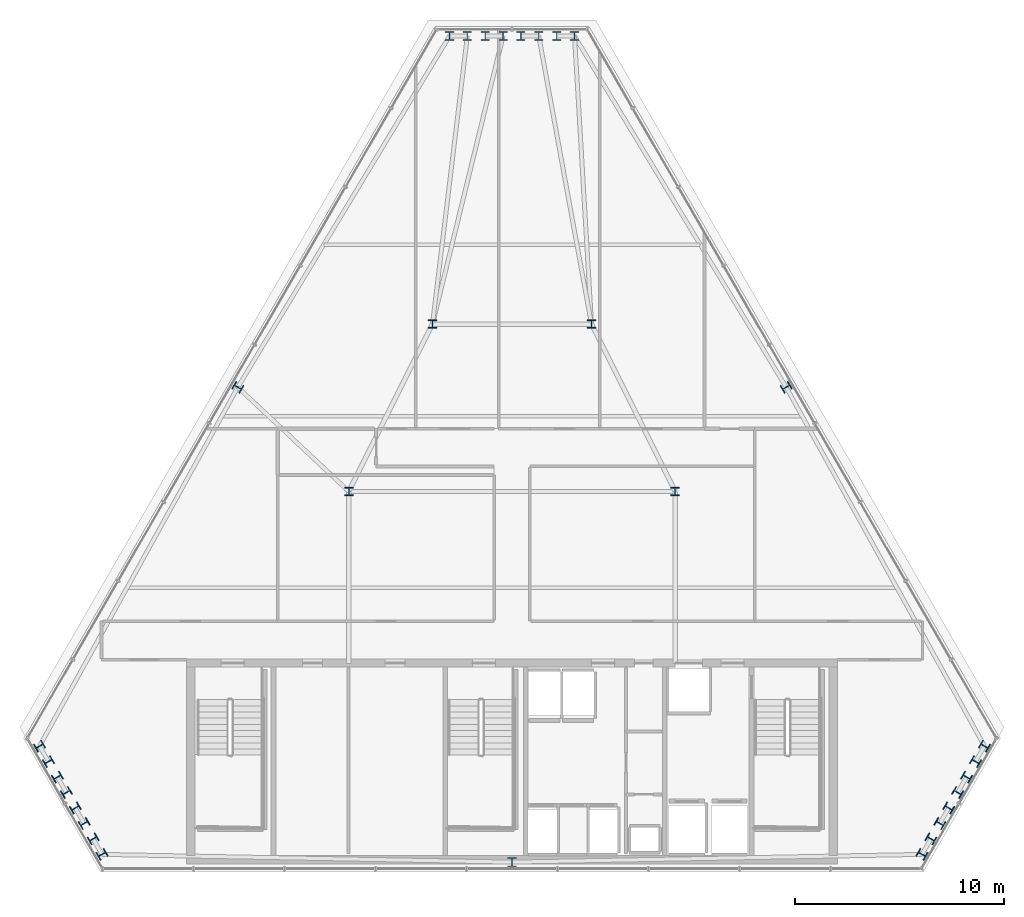
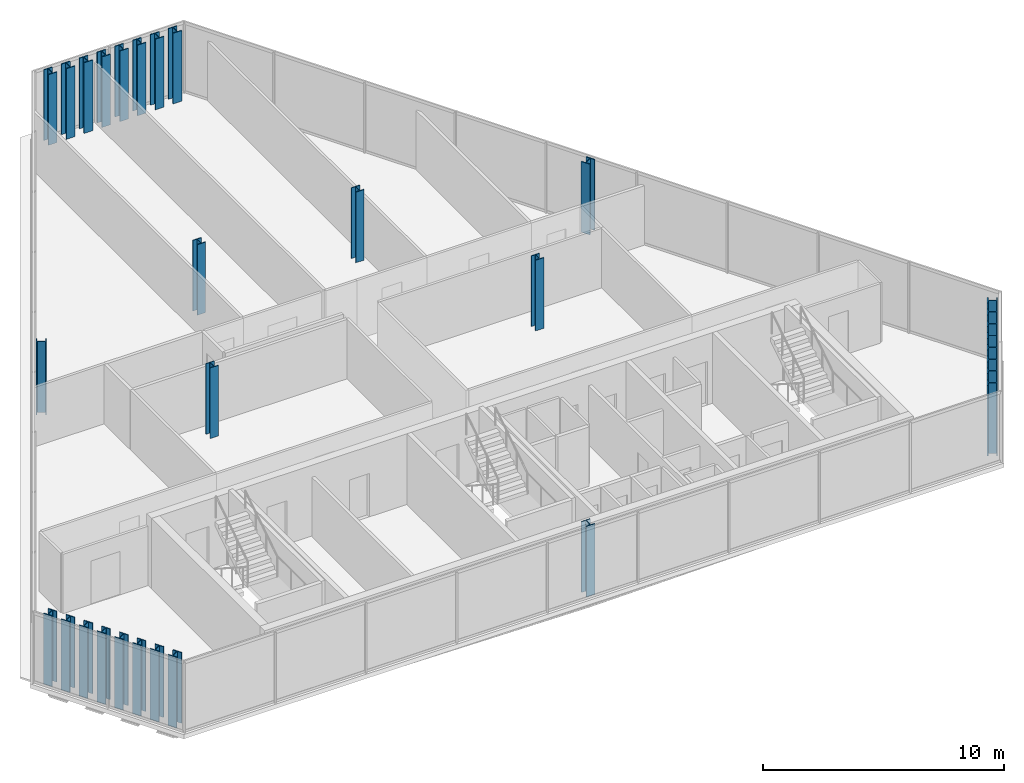
# One storey, part 1 of 29: 31 columns.
"""IFC4 building model written with IfcOpenShell, lengths in metres."""

import ifcopenshell
import ifcopenshell.guid

model = None  # the IFC model being written
_history = None  # IfcOwnerHistory: only IFC2X3 demands one
_inside = {}  # id of a spatial element -> (the spatial element, [elements in it])
_under = {}  # id of a project, library or spatial element -> (it, [spatial elements below it])
_declared = {}  # id of a project -> (the project, [libraries it declares])
_typed = {}  # id of a type object -> (the type object, [elements of that type])
_made_of = {}  # id of a material, layer set ... -> (it, [elements and type objects made of it])


def new_model(schema):
    """Start an empty IFC model of exactly this schema.

    Asked for "IFC4X3", IfcOpenShell would pick the latest addendum, in which some entities
    have other attributes; the version numbers below select the first issue.
    IFC2X3 requires an IfcOwnerHistory on every rooted entity: one is made here for all.
    """
    global model, _history
    if schema == "IFC4X3":
        model = ifcopenshell.file(schema_version=(4, 3, 0, 0))
    else:
        model = ifcopenshell.file(schema=schema)
    _inside.clear()
    _under.clear()
    _declared.clear()
    _typed.clear()
    _made_of.clear()
    _history = None
    if model.schema == "IFC2X3":
        org = make("IfcOrganization", Name="unknown")
        user = make(
            "IfcPersonAndOrganization",
            ThePerson=make("IfcPerson", FamilyName="unknown"),
            TheOrganization=org,
        )
        app = make(
            "IfcApplication",
            ApplicationDeveloper=org,
            Version="unknown",
            ApplicationFullName="unknown",
            ApplicationIdentifier="unknown",
        )
        _history = make(
            "IfcOwnerHistory",
            OwningUser=user,
            OwningApplication=app,
            ChangeAction="ADDED",
            CreationDate=0,
        )
    return model


def make(cls, **values):
    """One entity of the class cls with the attributes given. An attribute that is None is left unset."""
    return model.create_entity(
        cls, **{name: value for name, value in values.items() if value is not None}
    )


def rooted(cls, **values):
    """An entity with a GlobalId (a new one), such as an element, a storey or a relation."""
    return make(cls, GlobalId=ifcopenshell.guid.new(), OwnerHistory=_history, **values)


def si_unit(unit_type, name, prefix=None):
    """IfcSIUnit, for example si_unit("LENGTHUNIT", "METRE", prefix="MILLI")."""
    return make("IfcSIUnit", UnitType=unit_type, Prefix=prefix, Name=name)


def assignment(units):
    """IfcUnitAssignment: the units of a project."""
    return None if units is None else make("IfcUnitAssignment", Units=units)


def point(xyz):
    """IfcCartesianPoint."""
    return None if xyz is None else make("IfcCartesianPoint", Coordinates=xyz)


def direction(xyz):
    """IfcDirection."""
    return None if xyz is None else make("IfcDirection", DirectionRatios=xyz)


def frame(location, z_axis=None, x_axis=None):
    """IfcAxis2Placement3D, a coordinate frame: its origin and axes. An axis left out is left unset."""
    return make(
        "IfcAxis2Placement3D",
        Location=point(location),
        Axis=direction(z_axis),
        RefDirection=direction(x_axis),
    )


def frame_2d(location, x_axis=None):
    """IfcAxis2Placement2D, a coordinate frame in the plane: its origin and x axis."""
    return make(
        "IfcAxis2Placement2D", Location=point(location), RefDirection=direction(x_axis)
    )


def origin():
    """The frame at (0, 0, 0) with its axes left unset."""
    return frame((0.0, 0.0, 0.0))


def origin_2d():
    """The frame at (0, 0) in the plane with its x axis left unset."""
    return frame_2d((0.0, 0.0))


def place(relative_to, where):
    """IfcLocalPlacement: puts the frame where relative to a parent placement (None: the world)."""
    return make(
        "IfcLocalPlacement", PlacementRelTo=relative_to, RelativePlacement=where
    )


def context(
    kind, dimensions, precision=None, world=None, true_north=None, identifier=None
):
    """IfcGeometricRepresentationContext, for example the 3D "Model" context."""
    return make(
        "IfcGeometricRepresentationContext",
        ContextIdentifier=identifier,
        ContextType=kind,
        CoordinateSpaceDimension=dimensions,
        Precision=precision,
        WorldCoordinateSystem=world,
        TrueNorth=true_north,
    )


def subcontext(parent, identifier, kind, view, scale=None):
    """IfcGeometricRepresentationSubContext, for example "Body" below "Model"."""
    return make(
        "IfcGeometricRepresentationSubContext",
        ContextIdentifier=identifier,
        ContextType=kind,
        ParentContext=parent,
        TargetScale=scale,
        TargetView=view,
    )


def project(units=None, contexts=None):
    """IfcProject with its units and contexts."""
    return rooted(
        "IfcProject",
        Name="project",
        RepresentationContexts=contexts,
        UnitsInContext=assignment(units),
    )


def spatial(cls, under=None, at=None, **own):
    """A site, building, storey or space (cls), placed at a placement, below another one or the project."""
    s = rooted(cls, ObjectPlacement=at, **own)
    if under is not None:
        _under.setdefault(under.id(), (under, []))[1].append(s)
    return s


def profile(cls, at=None, kind="AREA", **sizes):
    """A parametric profile (cls). Its sizes go by their IFC names, for example OverallWidth=200.0."""
    return make(cls, ProfileType=kind, Position=at, **sizes)


def i_section(**sizes):
    """IfcIShapeProfileDef."""
    return profile("IfcIShapeProfileDef", **sizes)


def extrude(swept, where, along, depth):
    """IfcExtrudedAreaSolid: the profile swept, set in the frame where, extruded along a direction by depth."""
    return make(
        "IfcExtrudedAreaSolid",
        SweptArea=swept,
        Position=where,
        ExtrudedDirection=direction(along),
        Depth=depth,
    )


def shape(context_of_items, identifier, shape_type, items):
    """IfcShapeRepresentation: the items that make up one representation, for example the "Body"."""
    return make(
        "IfcShapeRepresentation",
        ContextOfItems=context_of_items,
        RepresentationIdentifier=identifier,
        RepresentationType=shape_type,
        Items=items,
    )


def material(Name=None, Category=None):
    """IfcMaterial."""
    return make("IfcMaterial", Name=Name, Category=Category)


def material_profile(
    of_material, cross_section, Name=None, Category=None, Priority=None
):
    """IfcMaterialProfile: a cross section and its material."""
    return make(
        "IfcMaterialProfile",
        Name=Name,
        Material=of_material,
        Profile=cross_section,
        Priority=Priority,
        Category=Category,
    )


def profile_set(profiles, Name=None, composite=None):
    """IfcMaterialProfileSet."""
    return make(
        "IfcMaterialProfileSet",
        Name=Name,
        MaterialProfiles=profiles,
        CompositeProfile=composite,
    )


def made_of(thing, what):
    """Note that an element or type object is made of a material, layer set ...; save() writes the relation."""
    if what is not None:
        _made_of.setdefault(what.id(), (what, []))[1].append(thing)
    return thing


def type_object(cls, material=None, **own):
    """A type object (cls), such as IfcWallType, which elements share."""
    return made_of(rooted(cls, **own), material)


def element(
    cls,
    number,
    at=None,
    inside=None,
    cuts=None,
    type_object=None,
    material=None,
    context=None,
    identifier="Body",
    shape_type=None,
    held_by="IfcProductDefinitionShape",
    body=None,
    shapes=None,
    **own,
):
    """One element of the class cls, such as IfcWall. Its Tag is "e" and its number.

    at: its placement. inside: the storey or other place that contains it. cuts: it is an
    opening in that element (IfcRelVoidsElement). A single representation is given by context,
    identifier, shape_type and body (its items); several are given by shapes. held_by: the class
    of the entity that holds the representations. save() writes the other relations.
    """
    e = rooted(cls, Tag="e%d" % number, ObjectPlacement=at, **own)
    if body is not None:
        shapes = [shape(context, identifier, shape_type, body)]
    if shapes is not None:
        e.Representation = make(held_by, Representations=shapes)
    if inside is not None:
        _inside.setdefault(inside.id(), (inside, []))[1].append(e)
    if cuts is not None:
        rooted(
            "IfcRelVoidsElement", RelatingBuildingElement=cuts, RelatedOpeningElement=e
        )
    if type_object is not None:
        _typed.setdefault(type_object.id(), (type_object, []))[1].append(e)
    return made_of(e, material)


def aggregate(whole, parts):
    """IfcRelAggregates: a whole, such as a stair, and the parts it consists of."""
    return rooted("IfcRelAggregates", RelatingObject=whole, RelatedObjects=parts)


def save(model, path):
    """Write the relations noted so far, then the file.

    IfcRelAggregates (storeys below a building ...), IfcRelContainedInSpatialStructure (elements
    in a storey), IfcRelDefinesByType, IfcRelAssociatesMaterial and IfcRelDeclares: one each for
    every whole, place, type object, material and project.
    """
    for whole, parts in _under.values():
        aggregate(whole, parts)
    for where, things in _inside.values():
        rooted(
            "IfcRelContainedInSpatialStructure",
            RelatedElements=things,
            RelatingStructure=where,
        )
    for kind, things in _typed.values():
        rooted("IfcRelDefinesByType", RelatedObjects=things, RelatingType=kind)
    for what, things in _made_of.values():
        rooted("IfcRelAssociatesMaterial", RelatedObjects=things, RelatingMaterial=what)
    for by, libraries in _declared.values():
        rooted("IfcRelDeclares", RelatingContext=by, RelatedDefinitions=libraries)
    model.write(path)


model = new_model("IFC4")

# Units and contexts
model_context = context("Model", 3, precision=1e-05, world=origin(), true_north=direction((0.0, 1.0)))
body_context = subcontext(model_context, "Body", "Model", "MODEL_VIEW")
ifc_project = project(units=[si_unit("LENGTHUNIT", "METRE"), si_unit("AREAUNIT", "SQUARE_METRE"), si_unit("VOLUMEUNIT", "CUBIC_METRE"), si_unit("PLANEANGLEUNIT", "RADIAN"), si_unit("MASSUNIT", "GRAM", prefix="KILO")], contexts=[model_context])

# Site, building, storey
site_placement = place(None, origin())
site = spatial("IfcSite", under=ifc_project, at=site_placement, CompositionType="ELEMENT")
building_placement = place(site_placement, origin())
building = spatial("IfcBuilding", under=site, at=building_placement, Name="Ndaravel Arena Tower", CompositionType="ELEMENT")
storey_placement = place(building_placement, frame((0.0, 0.0, 229.39990234375)))
storey = spatial("IfcBuildingStorey", under=building, at=storey_placement, Name="L55", CompositionType="ELEMENT", Elevation=229.39990234375)

# Columns
ifc_material_1 = material(Name="Steel S355", Category="steel")
ifc_material_profile_1 = material_profile(ifc_material_1, i_section(OverallWidth=0.39892578125, OverallDepth=0.3935546875, WebThickness=0.022705078125, FlangeThickness=0.03662109375, FilletRadius=0.01513671875, at=origin_2d()), Name="UC 356x406x287")
ifc_profile_set_1 = profile_set([ifc_material_profile_1], Name="Steel S355")
column_type_1 = type_object("IfcColumnType", Name="COL-INT-UC287", PredefinedType="COLUMN", material=ifc_profile_set_1)
for number, where, z_axis, x_axis, name in (
    (1, (34.199951171875, 23.199951171875, 0.0), (0.0, 0.0, 1.0), (1.0, 0.0, 0.0), "L55 Interior Spine Column IC-01"),
    (2, (49.800048828125, 23.199951171875, 0.0), (0.0, 0.0, 1.0), (1.0, 0.0, 0.0), "L55 Interior Spine Column IC-02"),
    (3, (38.199951171875, 31.199951171875, 0.0), (0.0, 0.0, 1.0), (1.0, 0.0, 0.0), "L55 Interior Spine Column IC-03"),
    (4, (45.800048828125, 31.199951171875, 0.0), (0.0, 0.0, 1.0), (1.0, 0.0, 0.0), "L55 Interior Spine Column IC-04"),
):
    element("IfcColumn", number, at=place(storey_placement, frame(where, z_axis=z_axis, x_axis=x_axis)), inside=storey, type_object=column_type_1, Name=name, PredefinedType="COLUMN", context=body_context, shape_type="SweptSolid", body=[
        extrude(i_section(OverallWidth=0.39892578125, OverallDepth=0.3935546875, WebThickness=0.022705078125, FlangeThickness=0.03662109375, FilletRadius=0.01513671875, at=origin_2d()), origin(), (0.0, 0.0, 1.0), 3.580078125),
    ])
ifc_material_2 = material(Name="Steel S355", Category="steel")
ifc_material_profile_2 = material_profile(ifc_material_2, i_section(OverallWidth=0.412109375, OverallDepth=0.43505859375, WebThickness=0.035888671875, FlangeThickness=0.0439453125, FilletRadius=0.014892578125, at=origin_2d()), Name="HD 400x463")
ifc_profile_set_2 = profile_set([ifc_material_profile_2], Name="Steel S355")
column_type_2 = type_object("IfcColumnType", Name="COL-TUBE-HD463", PredefinedType="COLUMN", material=ifc_profile_set_2)
for number, where, z_axis, x_axis, name in (
    (5, (42.0, 5.47998046875, 0.0), (0.0, 0.0, 1.0), (1.0, 0.0, 0.0), "L55 Framed Tube Column TC-01"),
    (6, (61.597412109375, 5.849609375, 0.0), (0.0, 0.0, 1.0), (0.5, 0.866025403784, 0.0), "L55 Framed Tube Column TC-02"),
    (7, (62.0244140625, 6.589111328125, 0.0), (0.0, 0.0, 1.0), (0.5, 0.866025403784, 0.0), "L55 Framed Tube Column TC-03"),
    (8, (62.451171875, 7.328369140625, 0.0), (0.0, 0.0, 1.0), (0.5, 0.866025403784, 0.0), "L55 Framed Tube Column TC-04"),
    (9, (62.8779296875, 8.06787109375, 0.0), (0.0, 0.0, 1.0), (0.5, 0.866025403784, 0.0), "L55 Framed Tube Column TC-05"),
    (10, (63.3046875, 8.80712890625, 0.0), (0.0, 0.0, 1.0), (0.5, 0.866025403784, 0.0), "L55 Framed Tube Column TC-06"),
    (11, (63.731689453125, 9.54638671875, 0.0), (0.0, 0.0, 1.0), (0.5, 0.866025403784, 0.0), "L55 Framed Tube Column TC-07"),
    (12, (64.158447265625, 10.285888671875, 0.0), (0.0, 0.0, 1.0), (0.5, 0.866025403784, 0.0), "L55 Framed Tube Column TC-08"),
    (13, (64.58544921875, 11.025146484375, 0.0), (0.0, 0.0, 1.0), (0.5, 0.866025403784, 0.0), "L55 Framed Tube Column TC-09"),
    (14, (55.10693359375, 28.181884765625, 0.0), (0.0, 0.0, 1.0), (-0.5, 0.866025403784, 0.0), "L55 Framed Tube Column TC-10"),
    (15, (44.988037109375, 44.968994140625, 0.0), (0.0, 0.0, 1.0), (1.0, 0.0, 0.0), "L55 Framed Tube Column TC-11"),
    (16, (44.134521484375, 44.968994140625, 0.0), (0.0, 0.0, 1.0), (1.0, 0.0, 0.0), "L55 Framed Tube Column TC-12"),
    (17, (43.280517578125, 44.968994140625, 0.0), (0.0, 0.0, 1.0), (1.0, 0.0, 0.0), "L55 Framed Tube Column TC-13"),
    (18, (42.427001953125, 44.968994140625, 0.0), (0.0, 0.0, 1.0), (1.0, 0.0, 0.0), "L55 Framed Tube Column TC-14"),
    (19, (41.572998046875, 44.968994140625, 0.0), (0.0, 0.0, 1.0), (1.0, 0.0, 0.0), "L55 Framed Tube Column TC-15"),
    (20, (40.719482421875, 44.968994140625, 0.0), (0.0, 0.0, 1.0), (1.0, 0.0, 0.0), "L55 Framed Tube Column TC-16"),
    (21, (39.865478515625, 44.968994140625, 0.0), (0.0, 0.0, 1.0), (1.0, 0.0, 0.0), "L55 Framed Tube Column TC-17"),
    (22, (39.011962890625, 44.968994140625, 0.0), (0.0, 0.0, 1.0), (1.0, 0.0, 0.0), "L55 Framed Tube Column TC-18"),
    (23, (28.89306640625, 28.181884765625, 0.0), (0.0, 0.0, 1.0), (0.5, 0.866025403784, 0.0), "L55 Framed Tube Column TC-19"),
    (24, (19.41455078125, 11.025146484375, 0.0), (0.0, 0.0, 1.0), (-0.5, 0.866025403784, 0.0), "L55 Framed Tube Column TC-20"),
    (25, (19.841552734375, 10.285888671875, 0.0), (0.0, 0.0, 1.0), (-0.5, 0.866025403784, 0.0), "L55 Framed Tube Column TC-21"),
    (26, (20.268310546875, 9.54638671875, 0.0), (0.0, 0.0, 1.0), (-0.5, 0.866025403784, 0.0), "L55 Framed Tube Column TC-22"),
    (27, (20.6953125, 8.80712890625, 0.0), (0.0, 0.0, 1.0), (-0.5, 0.866025403784, 0.0), "L55 Framed Tube Column TC-23"),
    (28, (21.1220703125, 8.06787109375, 0.0), (0.0, 0.0, 1.0), (-0.5, 0.866025403784, 0.0), "L55 Framed Tube Column TC-24"),
    (29, (21.548828125, 7.328369140625, 0.0), (0.0, 0.0, 1.0), (-0.5, 0.866025403784, 0.0), "L55 Framed Tube Column TC-25"),
    (30, (21.9755859375, 6.589111328125, 0.0), (0.0, 0.0, 1.0), (-0.5, 0.866025403784, 0.0), "L55 Framed Tube Column TC-26"),
    (31, (22.402587890625, 5.849609375, 0.0), (0.0, 0.0, 1.0), (-0.5, 0.866025403784, 0.0), "L55 Framed Tube Column TC-27"),
):
    element("IfcColumn", number, at=place(storey_placement, frame(where, z_axis=z_axis, x_axis=x_axis)), inside=storey, type_object=column_type_2, Name=name, PredefinedType="COLUMN", context=body_context, shape_type="SweptSolid", body=[
        extrude(i_section(OverallWidth=0.412109375, OverallDepth=0.43505859375, WebThickness=0.035888671875, FlangeThickness=0.0439453125, FilletRadius=0.014892578125, at=origin_2d()), origin(), (0.0, 0.0, 1.0), 3.580078125),
    ])

save(model, "model.ifc")
